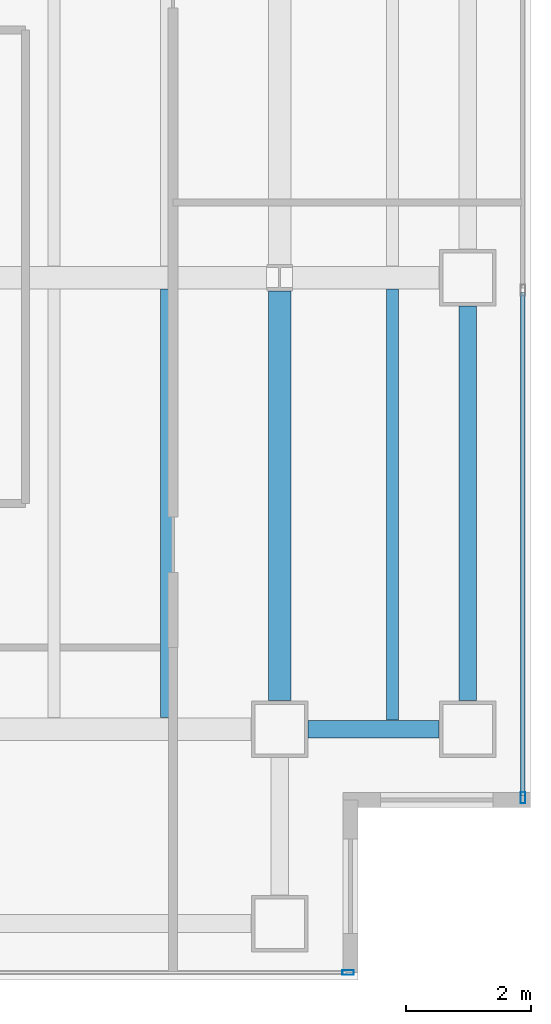
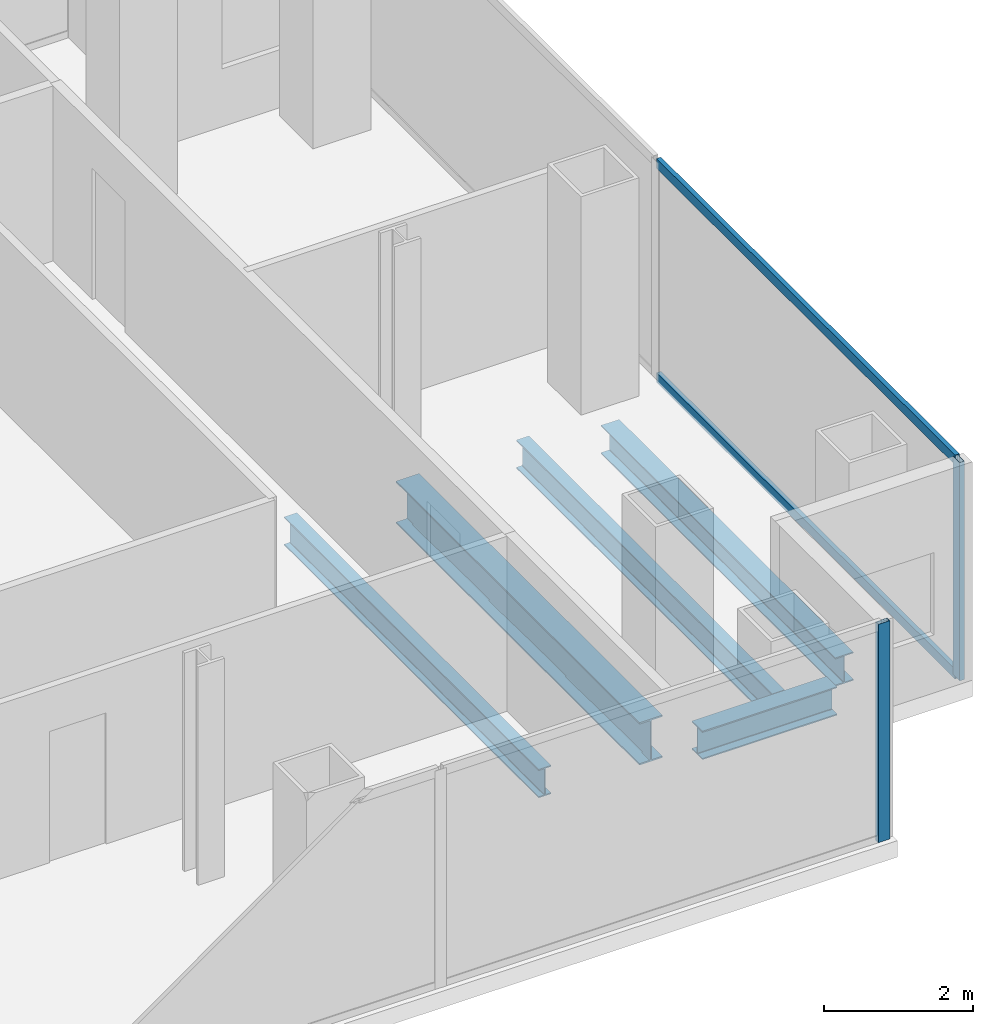
# One storey, part 11 of 24: 5 beams, 4 members, 2 elements without a shape of their own.
"""IFC4 building model written with IfcOpenShell, lengths in metres."""

from ifc_helpers import new_model, si_unit, direction, frame, origin, origin_2d, place, context, subcontext, project, spatial, hollow_rectangle, i_section, extrude, material, material_profile, profile_set, type_object, element, aggregate, save


model = new_model("IFC4")

# Units and contexts
model_context = context("Model", 3, precision=1e-05, world=origin(), true_north=direction((0.0, 1.0)))
body_context = subcontext(model_context, "Body", "Model", "MODEL_VIEW")
ifc_project = project(units=[si_unit("LENGTHUNIT", "METRE"), si_unit("AREAUNIT", "SQUARE_METRE"), si_unit("VOLUMEUNIT", "CUBIC_METRE"), si_unit("PLANEANGLEUNIT", "RADIAN"), si_unit("MASSUNIT", "GRAM", prefix="KILO")], contexts=[model_context])

# Site, building, storey
site_placement = place(None, origin())
site = spatial("IfcSite", under=ifc_project, at=site_placement, CompositionType="ELEMENT")
building_placement = place(site_placement, origin())
building = spatial("IfcBuilding", under=site, at=building_placement, Name="Cobrela Telecom Tower", CompositionType="ELEMENT")
storey_placement = place(building_placement, frame((0.0, 0.0, 121.449951171875)))
storey = spatial("IfcBuildingStorey", under=building, at=storey_placement, Name="L30", CompositionType="ELEMENT", Elevation=121.449951171875)

# Beams
ifc_material_1 = material(Name="Steel ASTM A992 Grade 50", Category="steel")
ifc_material_profile_1 = material_profile(ifc_material_1, i_section(OverallWidth=0.35595703125, OverallDepth=0.696044921875, WebThickness=0.015380859375, FlangeThickness=0.024658203125, FilletRadius=0.01806640625, at=origin_2d()), Name="W27X146")
ifc_profile_set_1 = profile_set([ifc_material_profile_1], Name="Steel ASTM A992 Grade 50")
beam_type_1 = type_object("IfcBeamType", Name="BM-GIRD-05", PredefinedType="USERDEFINED", material=ifc_profile_set_1)
beam_1_placement = place(storey_placement, frame((43.199951171875, 7.655029296875, -0.617919921875), z_axis=(0.0, 1.0, 0.0), x_axis=(-1.0, 0.0, 0.0)))
element("IfcBeam", 1, at=beam_1_placement, inside=storey, type_object=beam_type_1, Name="L30 Primary Girder Y53", ObjectType="GIRDER", PredefinedType="USERDEFINED", context=body_context, shape_type="SweptSolid", body=[
    extrude(i_section(OverallWidth=0.35595703125, OverallDepth=0.696044921875, WebThickness=0.015380859375, FlangeThickness=0.024658203125, FilletRadius=0.01806640625, at=origin_2d()), origin(), (0.0, 0.0, 1.0), 6.535400390625),
])
ifc_material_profile_2 = material_profile(ifc_material_1, i_section(OverallWidth=0.193115234375, OverallDepth=0.467041015625, WebThickness=0.011474609375, FlangeThickness=0.01904296875, FilletRadius=0.012939453125, at=origin_2d()), Name="W18X65")
ifc_profile_set_2 = profile_set([ifc_material_profile_2], Name="Steel ASTM A992 Grade 50")
beam_type_2 = type_object("IfcBeamType", Name="BM-JOIST-03", PredefinedType="JOIST", material=ifc_profile_set_2)
beam_2_placement = place(storey_placement, frame((41.39990234375, 7.383056640625, -0.50341796875), z_axis=(0.0, 1.0, 0.0), x_axis=(-1.0, 0.0, 0.0)))
element("IfcBeam", 2, at=beam_2_placement, inside=storey, type_object=beam_type_2, Name="L30 Secondary Composite Floor Beam J37", PredefinedType="JOIST", context=body_context, shape_type="SweptSolid", body=[
    extrude(i_section(OverallWidth=0.193115234375, OverallDepth=0.467041015625, WebThickness=0.011474609375, FlangeThickness=0.01904296875, FilletRadius=0.012939453125, at=origin_2d()), origin(), (0.0, 0.0, 1.0), 6.833984375),
])
beam_3_placement = place(storey_placement, frame((45.0, 7.345947265625, -0.50341796875), z_axis=(0.0, 1.0, 0.0), x_axis=(-1.0, 0.0, 0.0)))
element("IfcBeam", 3, at=beam_3_placement, inside=storey, type_object=beam_type_2, Name="L30 Secondary Composite Floor Beam J39", PredefinedType="JOIST", context=body_context, shape_type="SweptSolid", body=[
    extrude(i_section(OverallWidth=0.193115234375, OverallDepth=0.467041015625, WebThickness=0.011474609375, FlangeThickness=0.01904296875, FilletRadius=0.012939453125, at=origin_2d()), origin(), (0.0, 0.0, 1.0), 6.87109375),
])
ifc_material_profile_3 = material_profile(ifc_material_1, i_section(OverallWidth=0.281982421875, OverallDepth=0.467041015625, WebThickness=0.01220703125, FlangeThickness=0.01953125, FilletRadius=0.012939453125, at=origin_2d()), Name="W18X86")
ifc_profile_set_3 = profile_set([ifc_material_profile_3], Name="Steel ASTM A992 Grade 50")
beam_type_3 = type_object("IfcBeamType", Name="BM-SPAND-04", PredefinedType="SPANDREL", material=ifc_profile_set_3)
beam_4_placement = place(storey_placement, frame((43.655029296875, 7.199951171875, -0.50341796875), z_axis=(1.0, 0.0, 0.0), x_axis=(0.0, 1.0, 0.0)))
element("IfcBeam", 4, at=beam_4_placement, inside=storey, type_object=beam_type_3, Name="L30 Perimeter Spandrel X12", PredefinedType="SPANDREL", context=body_context, shape_type="SweptSolid", body=[
    extrude(i_section(OverallWidth=0.281982421875, OverallDepth=0.467041015625, WebThickness=0.01220703125, FlangeThickness=0.01953125, FilletRadius=0.012939453125, at=origin_2d()), origin(), (0.0, 0.0, 1.0), 2.090087890625),
])
beam_5_placement = place(storey_placement, frame((46.199951171875, 7.655029296875, -0.50341796875), z_axis=(0.0, 1.0, 0.0), x_axis=(-1.0, 0.0, 0.0)))
element("IfcBeam", 5, at=beam_5_placement, inside=storey, type_object=beam_type_3, Name="L30 Perimeter Spandrel Y55", PredefinedType="SPANDREL", context=body_context, shape_type="SweptSolid", body=[
    extrude(i_section(OverallWidth=0.281982421875, OverallDepth=0.467041015625, WebThickness=0.01220703125, FlangeThickness=0.01953125, FilletRadius=0.012939453125, at=origin_2d()), origin(), (0.0, 0.0, 1.0), 6.2900390625),
])

# Curtain wall, member
ifc_material_2 = material(Name="Anodized Bronze Aluminium 6063-T6", Category="aluminium")
curtain_wall_type = type_object("IfcCurtainWallType", Name="CW-SYS-TEL", PredefinedType="USERDEFINED", material=ifc_material_2)
curtain_wall_1_placement = place(storey_placement, origin())
curtain_wall_1 = element("IfcCurtainWall", 6, at=curtain_wall_1_placement, inside=storey, type_object=curtain_wall_type, Name="L30 Unitised Bronze Curtain Wall 14", ObjectType="UNITISED CURTAIN WALL", PredefinedType="USERDEFINED")
ifc_material_profile_4 = material_profile(ifc_material_2, hollow_rectangle(XDim=0.074951171875, YDim=0.179931640625, WallThickness=0.00390625, at=origin_2d()), Name="ALU 75x180x4")
ifc_profile_set_4 = profile_set([ifc_material_profile_4], Name="Anodized Bronze Aluminium 6063-T6")
member_type_1 = type_object("IfcMemberType", Name="CW-SYS-TEL-MUL", PredefinedType="MULLION", material=ifc_profile_set_4)
member_1_placement = place(storey_placement, frame((47.080078125, 6.107421875, 0.0), z_axis=(0.0, 0.0, 1.0), x_axis=(1.0, 0.0, 0.0)))
member_1 = element("IfcMember", 7, at=member_1_placement, type_object=member_type_1, Name="CW-TEL mullion 3", PredefinedType="MULLION", context=body_context, shape_type="SweptSolid", body=[
    extrude(hollow_rectangle(XDim=0.074951171875, YDim=0.179931640625, WallThickness=0.00390625, at=origin_2d()), origin(), (0.0, 0.0, 1.0), 3.580078125),
])

curtain_wall_2_placement = place(storey_placement, origin())
curtain_wall_2 = element("IfcCurtainWall", 8, at=curtain_wall_2_placement, inside=storey, type_object=curtain_wall_type, Name="L30 Unitised Bronze Curtain Wall 17", ObjectType="UNITISED CURTAIN WALL", PredefinedType="USERDEFINED")
member_2_placement = place(storey_placement, frame((44.29248046875, 3.320068359375, 0.0), z_axis=(0.0, 0.0, 1.0), x_axis=(0.0, -1.0, 0.0)))
member_2 = element("IfcMember", 9, at=member_2_placement, type_object=member_type_1, Name="CW-TEL mullion 1", PredefinedType="MULLION", context=body_context, shape_type="SweptSolid", body=[
    extrude(hollow_rectangle(XDim=0.074951171875, YDim=0.179931640625, WallThickness=0.00390625, at=origin_2d()), origin(), (0.0, 0.0, 1.0), 3.580078125),
])
aggregate(curtain_wall_2, [member_2])

# Member
ifc_material_profile_5 = material_profile(ifc_material_2, hollow_rectangle(XDim=0.070068359375, YDim=0.159912109375, WallThickness=0.00390625, at=origin_2d()), Name="ALU 70x160x4")
ifc_profile_set_5 = profile_set([ifc_material_profile_5], Name="Anodized Bronze Aluminium 6063-T6")
member_type_2 = type_object("IfcMemberType", Name="CW-SYS-TEL-TRN", PredefinedType="USERDEFINED", material=ifc_profile_set_5)
member_3_placement = place(storey_placement, frame((47.080078125, 14.16259765625, 0.03515625), z_axis=(0.0, -1.0, 0.0), x_axis=(1.0, 0.0, 0.0)))
member_3 = element("IfcMember", 10, at=member_3_placement, type_object=member_type_2, Name="CW-TEL transom 2.1", ObjectType="TRANSOM", PredefinedType="USERDEFINED", context=body_context, shape_type="SweptSolid", body=[
    extrude(hollow_rectangle(XDim=0.070068359375, YDim=0.159912109375, WallThickness=0.00390625, at=origin_2d()), origin(), (0.0, 0.0, 1.0), 8.017578125),
])

member_4_placement = place(storey_placement, frame((47.080078125, 14.16259765625, 3.545166015625), z_axis=(0.0, -1.0, 0.0), x_axis=(1.0, 0.0, 0.0)))
member_4 = element("IfcMember", 11, at=member_4_placement, type_object=member_type_2, Name="CW-TEL transom 2.2", ObjectType="TRANSOM", PredefinedType="USERDEFINED", context=body_context, shape_type="SweptSolid", body=[
    extrude(hollow_rectangle(XDim=0.070068359375, YDim=0.159912109375, WallThickness=0.00390625, at=origin_2d()), origin(), (0.0, 0.0, 1.0), 8.017578125),
])

aggregate(curtain_wall_1, [member_1, member_3, member_4])

save(model, "model.ifc")
